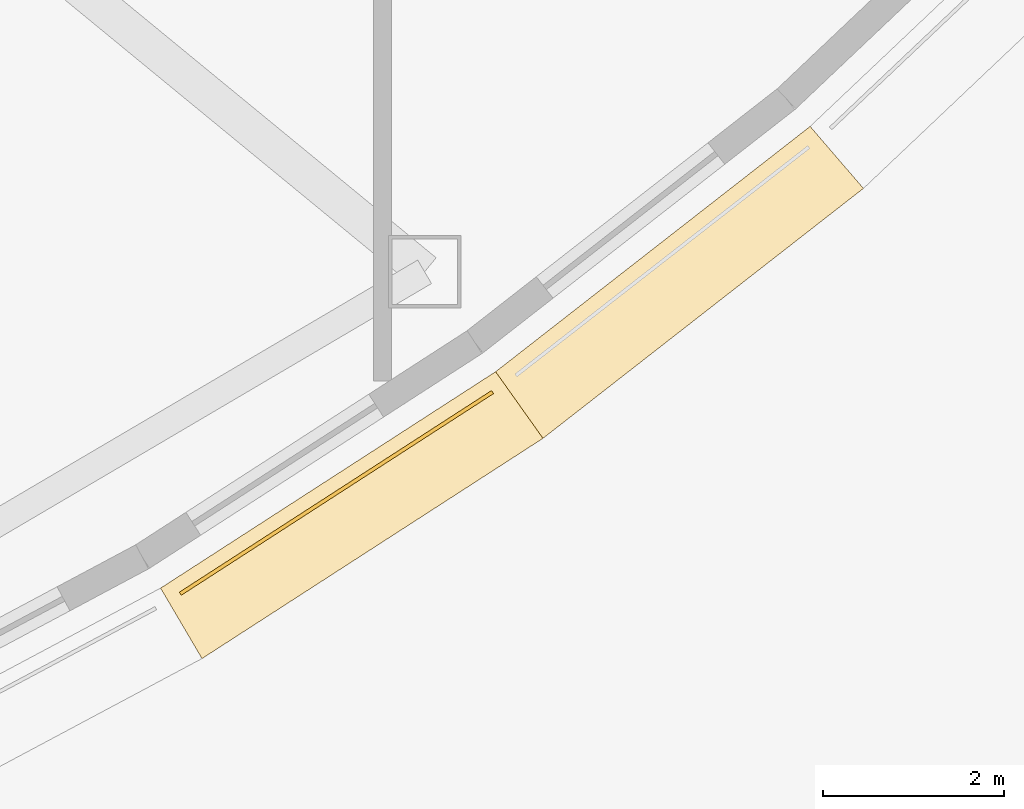
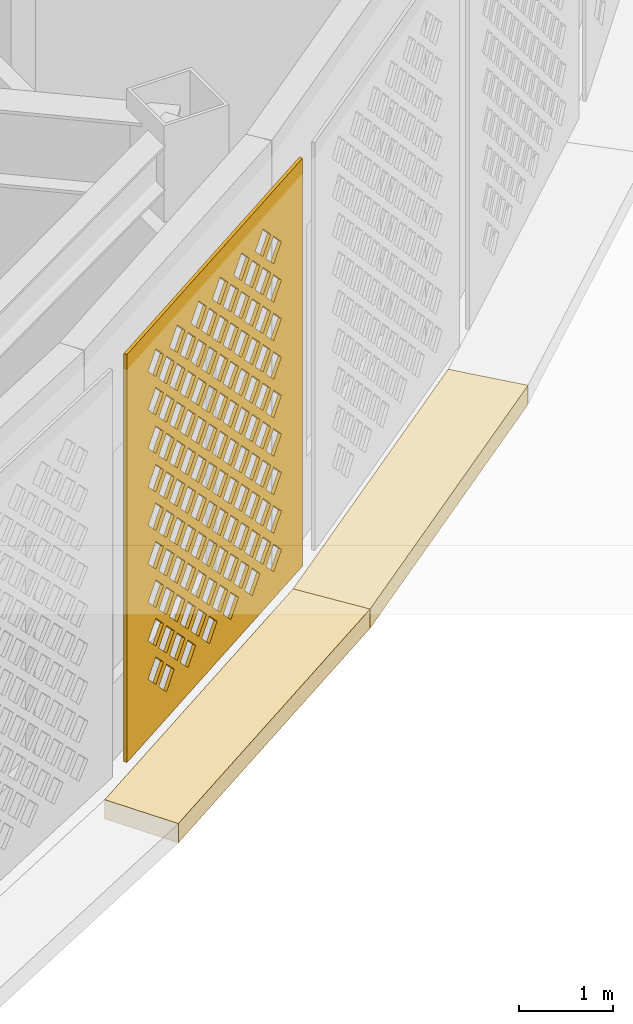
# One storey, part 67 of 74: 3 coverings.
"""IFC4 building model written with IfcOpenShell, lengths in metres."""

import ifcopenshell
import ifcopenshell.guid

model = None  # the IFC model being written
_history = None  # IfcOwnerHistory: only IFC2X3 demands one
_inside = {}  # id of a spatial element -> (the spatial element, [elements in it])
_under = {}  # id of a project, library or spatial element -> (it, [spatial elements below it])
_declared = {}  # id of a project -> (the project, [libraries it declares])
_typed = {}  # id of a type object -> (the type object, [elements of that type])
_made_of = {}  # id of a material, layer set ... -> (it, [elements and type objects made of it])


def new_model(schema):
    """Start an empty IFC model of exactly this schema.

    Asked for "IFC4X3", IfcOpenShell would pick the latest addendum, in which some entities
    have other attributes; the version numbers below select the first issue.
    IFC2X3 requires an IfcOwnerHistory on every rooted entity: one is made here for all.
    """
    global model, _history
    if schema == "IFC4X3":
        model = ifcopenshell.file(schema_version=(4, 3, 0, 0))
    else:
        model = ifcopenshell.file(schema=schema)
    _inside.clear()
    _under.clear()
    _declared.clear()
    _typed.clear()
    _made_of.clear()
    _history = None
    if model.schema == "IFC2X3":
        org = make("IfcOrganization", Name="unknown")
        user = make(
            "IfcPersonAndOrganization",
            ThePerson=make("IfcPerson", FamilyName="unknown"),
            TheOrganization=org,
        )
        app = make(
            "IfcApplication",
            ApplicationDeveloper=org,
            Version="unknown",
            ApplicationFullName="unknown",
            ApplicationIdentifier="unknown",
        )
        _history = make(
            "IfcOwnerHistory",
            OwningUser=user,
            OwningApplication=app,
            ChangeAction="ADDED",
            CreationDate=0,
        )
    return model


def make(cls, **values):
    """One entity of the class cls with the attributes given. An attribute that is None is left unset."""
    return model.create_entity(
        cls, **{name: value for name, value in values.items() if value is not None}
    )


def rooted(cls, **values):
    """An entity with a GlobalId (a new one), such as an element, a storey or a relation."""
    return make(cls, GlobalId=ifcopenshell.guid.new(), OwnerHistory=_history, **values)


def si_unit(unit_type, name, prefix=None):
    """IfcSIUnit, for example si_unit("LENGTHUNIT", "METRE", prefix="MILLI")."""
    return make("IfcSIUnit", UnitType=unit_type, Prefix=prefix, Name=name)


def assignment(units):
    """IfcUnitAssignment: the units of a project."""
    return None if units is None else make("IfcUnitAssignment", Units=units)


def point(xyz):
    """IfcCartesianPoint."""
    return None if xyz is None else make("IfcCartesianPoint", Coordinates=xyz)


def direction(xyz):
    """IfcDirection."""
    return None if xyz is None else make("IfcDirection", DirectionRatios=xyz)


def frame(location, z_axis=None, x_axis=None):
    """IfcAxis2Placement3D, a coordinate frame: its origin and axes. An axis left out is left unset."""
    return make(
        "IfcAxis2Placement3D",
        Location=point(location),
        Axis=direction(z_axis),
        RefDirection=direction(x_axis),
    )


def origin():
    """The frame at (0, 0, 0) with its axes left unset."""
    return frame((0.0, 0.0, 0.0))


def place(relative_to, where):
    """IfcLocalPlacement: puts the frame where relative to a parent placement (None: the world)."""
    return make(
        "IfcLocalPlacement", PlacementRelTo=relative_to, RelativePlacement=where
    )


def context(
    kind, dimensions, precision=None, world=None, true_north=None, identifier=None
):
    """IfcGeometricRepresentationContext, for example the 3D "Model" context."""
    return make(
        "IfcGeometricRepresentationContext",
        ContextIdentifier=identifier,
        ContextType=kind,
        CoordinateSpaceDimension=dimensions,
        Precision=precision,
        WorldCoordinateSystem=world,
        TrueNorth=true_north,
    )


def subcontext(parent, identifier, kind, view, scale=None):
    """IfcGeometricRepresentationSubContext, for example "Body" below "Model"."""
    return make(
        "IfcGeometricRepresentationSubContext",
        ContextIdentifier=identifier,
        ContextType=kind,
        ParentContext=parent,
        TargetScale=scale,
        TargetView=view,
    )


def project(units=None, contexts=None):
    """IfcProject with its units and contexts."""
    return rooted(
        "IfcProject",
        Name="project",
        RepresentationContexts=contexts,
        UnitsInContext=assignment(units),
    )


def spatial(cls, under=None, at=None, **own):
    """A site, building, storey or space (cls), placed at a placement, below another one or the project."""
    s = rooted(cls, ObjectPlacement=at, **own)
    if under is not None:
        _under.setdefault(under.id(), (under, []))[1].append(s)
    return s


def polyline(points):
    """IfcPolyline through the points."""
    return make("IfcPolyline", Points=[point(p) for p in points])


def outline(outer, holes=None, kind="AREA"):
    """IfcArbitraryClosedProfileDef: a profile drawn as a closed curve; with holes, ...WithVoids."""
    if holes is None:
        return make("IfcArbitraryClosedProfileDef", ProfileType=kind, OuterCurve=outer)
    return make(
        "IfcArbitraryProfileDefWithVoids",
        ProfileType=kind,
        OuterCurve=outer,
        InnerCurves=holes,
    )


def extrude(swept, where, along, depth):
    """IfcExtrudedAreaSolid: the profile swept, set in the frame where, extruded along a direction by depth."""
    return make(
        "IfcExtrudedAreaSolid",
        SweptArea=swept,
        Position=where,
        ExtrudedDirection=direction(along),
        Depth=depth,
    )


def shape(context_of_items, identifier, shape_type, items):
    """IfcShapeRepresentation: the items that make up one representation, for example the "Body"."""
    return make(
        "IfcShapeRepresentation",
        ContextOfItems=context_of_items,
        RepresentationIdentifier=identifier,
        RepresentationType=shape_type,
        Items=items,
    )


def material(Name=None, Category=None):
    """IfcMaterial."""
    return make("IfcMaterial", Name=Name, Category=Category)


def layer(
    of_material, thickness, ventilated=None, Name=None, Category=None, Priority=None
):
    """IfcMaterialLayer: one layer of a wall or slab, of a material (None: an air gap)."""
    return make(
        "IfcMaterialLayer",
        Material=of_material,
        LayerThickness=thickness,
        IsVentilated=ventilated,
        Name=Name,
        Category=Category,
        Priority=Priority,
    )


def layer_set(layers, Name=None):
    """IfcMaterialLayerSet."""
    return make("IfcMaterialLayerSet", MaterialLayers=layers, LayerSetName=Name)


def made_of(thing, what):
    """Note that an element or type object is made of a material, layer set ...; save() writes the relation."""
    if what is not None:
        _made_of.setdefault(what.id(), (what, []))[1].append(thing)
    return thing


def type_object(cls, material=None, **own):
    """A type object (cls), such as IfcWallType, which elements share."""
    return made_of(rooted(cls, **own), material)


def element(
    cls,
    number,
    at=None,
    inside=None,
    cuts=None,
    type_object=None,
    material=None,
    context=None,
    identifier="Body",
    shape_type=None,
    held_by="IfcProductDefinitionShape",
    body=None,
    shapes=None,
    **own,
):
    """One element of the class cls, such as IfcWall. Its Tag is "e" and its number.

    at: its placement. inside: the storey or other place that contains it. cuts: it is an
    opening in that element (IfcRelVoidsElement). A single representation is given by context,
    identifier, shape_type and body (its items); several are given by shapes. held_by: the class
    of the entity that holds the representations. save() writes the other relations.
    """
    e = rooted(cls, Tag="e%d" % number, ObjectPlacement=at, **own)
    if body is not None:
        shapes = [shape(context, identifier, shape_type, body)]
    if shapes is not None:
        e.Representation = make(held_by, Representations=shapes)
    if inside is not None:
        _inside.setdefault(inside.id(), (inside, []))[1].append(e)
    if cuts is not None:
        rooted(
            "IfcRelVoidsElement", RelatingBuildingElement=cuts, RelatedOpeningElement=e
        )
    if type_object is not None:
        _typed.setdefault(type_object.id(), (type_object, []))[1].append(e)
    return made_of(e, material)


def aggregate(whole, parts):
    """IfcRelAggregates: a whole, such as a stair, and the parts it consists of."""
    return rooted("IfcRelAggregates", RelatingObject=whole, RelatedObjects=parts)


def save(model, path):
    """Write the relations noted so far, then the file.

    IfcRelAggregates (storeys below a building ...), IfcRelContainedInSpatialStructure (elements
    in a storey), IfcRelDefinesByType, IfcRelAssociatesMaterial and IfcRelDeclares: one each for
    every whole, place, type object, material and project.
    """
    for whole, parts in _under.values():
        aggregate(whole, parts)
    for where, things in _inside.values():
        rooted(
            "IfcRelContainedInSpatialStructure",
            RelatedElements=things,
            RelatingStructure=where,
        )
    for kind, things in _typed.values():
        rooted("IfcRelDefinesByType", RelatedObjects=things, RelatingType=kind)
    for what, things in _made_of.values():
        rooted("IfcRelAssociatesMaterial", RelatedObjects=things, RelatingMaterial=what)
    for by, libraries in _declared.values():
        rooted("IfcRelDeclares", RelatingContext=by, RelatedDefinitions=libraries)
    model.write(path)


model = new_model("IFC4")

# Units and contexts
model_context = context("Model", 3, precision=1e-05, world=origin(), true_north=direction((0.0, 1.0)))
body_context = subcontext(model_context, "Body", "Model", "MODEL_VIEW")
ifc_project = project(units=[si_unit("LENGTHUNIT", "METRE"), si_unit("AREAUNIT", "SQUARE_METRE"), si_unit("VOLUMEUNIT", "CUBIC_METRE"), si_unit("PLANEANGLEUNIT", "RADIAN"), si_unit("MASSUNIT", "GRAM", prefix="KILO")], contexts=[model_context])

# Site, building, storey
site_placement = place(None, origin())
site = spatial("IfcSite", under=ifc_project, at=site_placement, CompositionType="ELEMENT")
building_placement = place(site_placement, origin())
building = spatial("IfcBuilding", under=site, at=building_placement, Name="Noorbagh Ring Tower", CompositionType="ELEMENT")
storey_placement = place(building_placement, frame((0.0, 0.0, 7.5)))
storey = spatial("IfcBuildingStorey", under=building, at=storey_placement, Name="L01", CompositionType="ELEMENT", Elevation=7.5)

# Coverings
ifc_material_1 = material(Name="Red sandstone eave", Category="masonry")
covering_type_1 = type_object("IfcCoveringType", Name="STY-CHHAJJA", PredefinedType="USERDEFINED", material=ifc_material_1)
covering_1_placement = place(storey_placement, frame((0.0, 0.0, -0.25)))
element("IfcCovering", 1, at=covering_1_placement, inside=storey, type_object=covering_type_1, Name="Chhajja eave", ObjectType="CHHAJJA", PredefinedType="USERDEFINED", context=body_context, shape_type="SweptSolid", body=[
    extrude(outline(polyline([(31.5546875, -31.793701171875), (35.247802734375, -29.408203125), (35.769775390625, -30.142578125), (32.011474609375, -32.56982421875), (31.5546875, -31.793701171875)])), origin(), (0.0, 0.0, 1.0), 0.25),
])
covering_2_placement = place(storey_placement, frame((0.0, 0.0, -0.25)))
element("IfcCovering", 2, at=covering_2_placement, inside=storey, type_object=covering_type_1, Name="Chhajja eave", ObjectType="CHHAJJA", PredefinedType="USERDEFINED", context=body_context, shape_type="SweptSolid", body=[
    extrude(outline(polyline([(35.247802734375, -29.408203125), (38.71435546875, -26.70458984375), (39.3017578125, -27.3876953125), (35.769775390625, -30.142578125), (35.247802734375, -29.408203125)])), origin(), (0.0, 0.0, 1.0), 0.25),
])
ifc_material_2 = material(Name="Red sandstone jali", Category="masonry")
ifc_layer = layer(ifc_material_2, 0.0400390625)
ifc_layer_set = layer_set([ifc_layer], Name="Red sandstone jali")
covering_type_2 = type_object("IfcCoveringType", Name="STY-JALI", PredefinedType="USERDEFINED", material=ifc_layer_set)
covering_3_placement = place(storey_placement, frame((31.78369140625, -31.871826171875, 0.449951171875), z_axis=(0.542524555296, -0.840039943634, 0.0), x_axis=(0.840039943634, 0.542524555296, 0.0)))
element("IfcCovering", 3, at=covering_3_placement, inside=storey, type_object=covering_type_2, Name="Jali screen", ObjectType="SCREEN", PredefinedType="USERDEFINED", context=body_context, shape_type="SweptSolid", body=[
    extrude(outline(polyline([(0.0, 0.0), (4.096435546875, 0.0), (4.096435546875, 5.300048828125), (0.0, 5.300048828125), (0.0, 0.0)]), holes=[polyline([(0.7431640625, 0.52490234375), (0.923095703125, 0.344970703125), (1.103271484375, 0.52490234375), (0.923095703125, 0.705078125), (0.7431640625, 0.52490234375)]), polyline([(1.2431640625, 0.52490234375), (1.423095703125, 0.344970703125), (1.603271484375, 0.52490234375), (1.423095703125, 0.705078125), (1.2431640625, 0.52490234375)]), polyline([(1.7431640625, 0.52490234375), (1.923095703125, 0.344970703125), (2.103271484375, 0.52490234375), (1.923095703125, 0.705078125), (1.7431640625, 0.52490234375)]), polyline([(2.2431640625, 0.52490234375), (2.423095703125, 0.344970703125), (2.603271484375, 0.52490234375), (2.423095703125, 0.705078125), (2.2431640625, 0.52490234375)]), polyline([(2.7431640625, 0.52490234375), (2.923095703125, 0.344970703125), (3.103271484375, 0.52490234375), (2.923095703125, 0.705078125), (2.7431640625, 0.52490234375)]), polyline([(3.2431640625, 0.52490234375), (3.423095703125, 0.344970703125), (3.603271484375, 0.52490234375), (3.423095703125, 0.705078125), (3.2431640625, 0.52490234375)]), polyline([(0.4931640625, 0.77490234375), (0.673095703125, 0.594970703125), (0.853271484375, 0.77490234375), (0.673095703125, 0.955078125), (0.4931640625, 0.77490234375)]), polyline([(0.9931640625, 0.77490234375), (1.173095703125, 0.594970703125), (1.353271484375, 0.77490234375), (1.173095703125, 0.955078125), (0.9931640625, 0.77490234375)]), polyline([(1.4931640625, 0.77490234375), (1.673095703125, 0.594970703125), (1.853271484375, 0.77490234375), (1.673095703125, 0.955078125), (1.4931640625, 0.77490234375)]), polyline([(1.9931640625, 0.77490234375), (2.173095703125, 0.594970703125), (2.353271484375, 0.77490234375), (2.173095703125, 0.955078125), (1.9931640625, 0.77490234375)]), polyline([(2.4931640625, 0.77490234375), (2.673095703125, 0.594970703125), (2.853271484375, 0.77490234375), (2.673095703125, 0.955078125), (2.4931640625, 0.77490234375)]), polyline([(2.9931640625, 0.77490234375), (3.173095703125, 0.594970703125), (3.353271484375, 0.77490234375), (3.173095703125, 0.955078125), (2.9931640625, 0.77490234375)]), polyline([(0.7431640625, 1.02490234375), (0.923095703125, 0.844970703125), (1.103271484375, 1.02490234375), (0.923095703125, 1.205078125), (0.7431640625, 1.02490234375)]), polyline([(1.2431640625, 1.02490234375), (1.423095703125, 0.844970703125), (1.603271484375, 1.02490234375), (1.423095703125, 1.205078125), (1.2431640625, 1.02490234375)]), polyline([(1.7431640625, 1.02490234375), (1.923095703125, 0.844970703125), (2.103271484375, 1.02490234375), (1.923095703125, 1.205078125), (1.7431640625, 1.02490234375)]), polyline([(2.2431640625, 1.02490234375), (2.423095703125, 0.844970703125), (2.603271484375, 1.02490234375), (2.423095703125, 1.205078125), (2.2431640625, 1.02490234375)]), polyline([(2.7431640625, 1.02490234375), (2.923095703125, 0.844970703125), (3.103271484375, 1.02490234375), (2.923095703125, 1.205078125), (2.7431640625, 1.02490234375)]), polyline([(3.2431640625, 1.02490234375), (3.423095703125, 0.844970703125), (3.603271484375, 1.02490234375), (3.423095703125, 1.205078125), (3.2431640625, 1.02490234375)]), polyline([(0.4931640625, 1.27490234375), (0.673095703125, 1.094970703125), (0.853271484375, 1.27490234375), (0.673095703125, 1.455078125), (0.4931640625, 1.27490234375)]), polyline([(0.9931640625, 1.27490234375), (1.173095703125, 1.094970703125), (1.353271484375, 1.27490234375), (1.173095703125, 1.455078125), (0.9931640625, 1.27490234375)]), polyline([(1.4931640625, 1.27490234375), (1.673095703125, 1.094970703125), (1.853271484375, 1.27490234375), (1.673095703125, 1.455078125), (1.4931640625, 1.27490234375)]), polyline([(1.9931640625, 1.27490234375), (2.173095703125, 1.094970703125), (2.353271484375, 1.27490234375), (2.173095703125, 1.455078125), (1.9931640625, 1.27490234375)]), polyline([(2.4931640625, 1.27490234375), (2.673095703125, 1.094970703125), (2.853271484375, 1.27490234375), (2.673095703125, 1.455078125), (2.4931640625, 1.27490234375)]), polyline([(2.9931640625, 1.27490234375), (3.173095703125, 1.094970703125), (3.353271484375, 1.27490234375), (3.173095703125, 1.455078125), (2.9931640625, 1.27490234375)]), polyline([(0.7431640625, 1.52490234375), (0.923095703125, 1.344970703125), (1.103271484375, 1.52490234375), (0.923095703125, 1.705078125), (0.7431640625, 1.52490234375)]), polyline([(1.2431640625, 1.52490234375), (1.423095703125, 1.344970703125), (1.603271484375, 1.52490234375), (1.423095703125, 1.705078125), (1.2431640625, 1.52490234375)]), polyline([(1.7431640625, 1.52490234375), (1.923095703125, 1.344970703125), (2.103271484375, 1.52490234375), (1.923095703125, 1.705078125), (1.7431640625, 1.52490234375)]), polyline([(2.2431640625, 1.52490234375), (2.423095703125, 1.344970703125), (2.603271484375, 1.52490234375), (2.423095703125, 1.705078125), (2.2431640625, 1.52490234375)]), polyline([(2.7431640625, 1.52490234375), (2.923095703125, 1.344970703125), (3.103271484375, 1.52490234375), (2.923095703125, 1.705078125), (2.7431640625, 1.52490234375)]), polyline([(3.2431640625, 1.52490234375), (3.423095703125, 1.344970703125), (3.603271484375, 1.52490234375), (3.423095703125, 1.705078125), (3.2431640625, 1.52490234375)]), polyline([(0.4931640625, 1.77490234375), (0.673095703125, 1.594970703125), (0.853271484375, 1.77490234375), (0.673095703125, 1.955078125), (0.4931640625, 1.77490234375)]), polyline([(0.9931640625, 1.77490234375), (1.173095703125, 1.594970703125), (1.353271484375, 1.77490234375), (1.173095703125, 1.955078125), (0.9931640625, 1.77490234375)]), polyline([(1.4931640625, 1.77490234375), (1.673095703125, 1.594970703125), (1.853271484375, 1.77490234375), (1.673095703125, 1.955078125), (1.4931640625, 1.77490234375)]), polyline([(1.9931640625, 1.77490234375), (2.173095703125, 1.594970703125), (2.353271484375, 1.77490234375), (2.173095703125, 1.955078125), (1.9931640625, 1.77490234375)]), polyline([(2.4931640625, 1.77490234375), (2.673095703125, 1.594970703125), (2.853271484375, 1.77490234375), (2.673095703125, 1.955078125), (2.4931640625, 1.77490234375)]), polyline([(2.9931640625, 1.77490234375), (3.173095703125, 1.594970703125), (3.353271484375, 1.77490234375), (3.173095703125, 1.955078125), (2.9931640625, 1.77490234375)]), polyline([(0.7431640625, 2.02490234375), (0.923095703125, 1.844970703125), (1.103271484375, 2.02490234375), (0.923095703125, 2.205078125), (0.7431640625, 2.02490234375)]), polyline([(1.2431640625, 2.02490234375), (1.423095703125, 1.844970703125), (1.603271484375, 2.02490234375), (1.423095703125, 2.205078125), (1.2431640625, 2.02490234375)]), polyline([(1.7431640625, 2.02490234375), (1.923095703125, 1.844970703125), (2.103271484375, 2.02490234375), (1.923095703125, 2.205078125), (1.7431640625, 2.02490234375)]), polyline([(2.2431640625, 2.02490234375), (2.423095703125, 1.844970703125), (2.603271484375, 2.02490234375), (2.423095703125, 2.205078125), (2.2431640625, 2.02490234375)]), polyline([(2.7431640625, 2.02490234375), (2.923095703125, 1.844970703125), (3.103271484375, 2.02490234375), (2.923095703125, 2.205078125), (2.7431640625, 2.02490234375)]), polyline([(3.2431640625, 2.02490234375), (3.423095703125, 1.844970703125), (3.603271484375, 2.02490234375), (3.423095703125, 2.205078125), (3.2431640625, 2.02490234375)]), polyline([(0.4931640625, 2.27490234375), (0.673095703125, 2.094970703125), (0.853271484375, 2.27490234375), (0.673095703125, 2.455078125), (0.4931640625, 2.27490234375)]), polyline([(0.9931640625, 2.27490234375), (1.173095703125, 2.094970703125), (1.353271484375, 2.27490234375), (1.173095703125, 2.455078125), (0.9931640625, 2.27490234375)]), polyline([(1.4931640625, 2.27490234375), (1.673095703125, 2.094970703125), (1.853271484375, 2.27490234375), (1.673095703125, 2.455078125), (1.4931640625, 2.27490234375)]), polyline([(1.9931640625, 2.27490234375), (2.173095703125, 2.094970703125), (2.353271484375, 2.27490234375), (2.173095703125, 2.455078125), (1.9931640625, 2.27490234375)]), polyline([(2.4931640625, 2.27490234375), (2.673095703125, 2.094970703125), (2.853271484375, 2.27490234375), (2.673095703125, 2.455078125), (2.4931640625, 2.27490234375)]), polyline([(2.9931640625, 2.27490234375), (3.173095703125, 2.094970703125), (3.353271484375, 2.27490234375), (3.173095703125, 2.455078125), (2.9931640625, 2.27490234375)]), polyline([(0.7431640625, 2.52490234375), (0.923095703125, 2.344970703125), (1.103271484375, 2.52490234375), (0.923095703125, 2.705078125), (0.7431640625, 2.52490234375)]), polyline([(1.2431640625, 2.52490234375), (1.423095703125, 2.344970703125), (1.603271484375, 2.52490234375), (1.423095703125, 2.705078125), (1.2431640625, 2.52490234375)]), polyline([(1.7431640625, 2.52490234375), (1.923095703125, 2.344970703125), (2.103271484375, 2.52490234375), (1.923095703125, 2.705078125), (1.7431640625, 2.52490234375)]), polyline([(2.2431640625, 2.52490234375), (2.423095703125, 2.344970703125), (2.603271484375, 2.52490234375), (2.423095703125, 2.705078125), (2.2431640625, 2.52490234375)]), polyline([(2.7431640625, 2.52490234375), (2.923095703125, 2.344970703125), (3.103271484375, 2.52490234375), (2.923095703125, 2.705078125), (2.7431640625, 2.52490234375)]), polyline([(3.2431640625, 2.52490234375), (3.423095703125, 2.344970703125), (3.603271484375, 2.52490234375), (3.423095703125, 2.705078125), (3.2431640625, 2.52490234375)]), polyline([(0.4931640625, 2.77490234375), (0.673095703125, 2.594970703125), (0.853271484375, 2.77490234375), (0.673095703125, 2.955078125), (0.4931640625, 2.77490234375)]), polyline([(0.9931640625, 2.77490234375), (1.173095703125, 2.594970703125), (1.353271484375, 2.77490234375), (1.173095703125, 2.955078125), (0.9931640625, 2.77490234375)]), polyline([(1.4931640625, 2.77490234375), (1.673095703125, 2.594970703125), (1.853271484375, 2.77490234375), (1.673095703125, 2.955078125), (1.4931640625, 2.77490234375)]), polyline([(1.9931640625, 2.77490234375), (2.173095703125, 2.594970703125), (2.353271484375, 2.77490234375), (2.173095703125, 2.955078125), (1.9931640625, 2.77490234375)]), polyline([(2.4931640625, 2.77490234375), (2.673095703125, 2.594970703125), (2.853271484375, 2.77490234375), (2.673095703125, 2.955078125), (2.4931640625, 2.77490234375)]), polyline([(2.9931640625, 2.77490234375), (3.173095703125, 2.594970703125), (3.353271484375, 2.77490234375), (3.173095703125, 2.955078125), (2.9931640625, 2.77490234375)]), polyline([(0.7431640625, 3.02490234375), (0.923095703125, 2.844970703125), (1.103271484375, 3.02490234375), (0.923095703125, 3.205078125), (0.7431640625, 3.02490234375)]), polyline([(1.2431640625, 3.02490234375), (1.423095703125, 2.844970703125), (1.603271484375, 3.02490234375), (1.423095703125, 3.205078125), (1.2431640625, 3.02490234375)]), polyline([(1.7431640625, 3.02490234375), (1.923095703125, 2.844970703125), (2.103271484375, 3.02490234375), (1.923095703125, 3.205078125), (1.7431640625, 3.02490234375)]), polyline([(2.2431640625, 3.02490234375), (2.423095703125, 2.844970703125), (2.603271484375, 3.02490234375), (2.423095703125, 3.205078125), (2.2431640625, 3.02490234375)]), polyline([(2.7431640625, 3.02490234375), (2.923095703125, 2.844970703125), (3.103271484375, 3.02490234375), (2.923095703125, 3.205078125), (2.7431640625, 3.02490234375)]), polyline([(3.2431640625, 3.02490234375), (3.423095703125, 2.844970703125), (3.603271484375, 3.02490234375), (3.423095703125, 3.205078125), (3.2431640625, 3.02490234375)]), polyline([(0.4931640625, 3.27490234375), (0.673095703125, 3.094970703125), (0.853271484375, 3.27490234375), (0.673095703125, 3.455078125), (0.4931640625, 3.27490234375)]), polyline([(0.9931640625, 3.27490234375), (1.173095703125, 3.094970703125), (1.353271484375, 3.27490234375), (1.173095703125, 3.455078125), (0.9931640625, 3.27490234375)]), polyline([(1.4931640625, 3.27490234375), (1.673095703125, 3.094970703125), (1.853271484375, 3.27490234375), (1.673095703125, 3.455078125), (1.4931640625, 3.27490234375)]), polyline([(1.9931640625, 3.27490234375), (2.173095703125, 3.094970703125), (2.353271484375, 3.27490234375), (2.173095703125, 3.455078125), (1.9931640625, 3.27490234375)]), polyline([(2.4931640625, 3.27490234375), (2.673095703125, 3.094970703125), (2.853271484375, 3.27490234375), (2.673095703125, 3.455078125), (2.4931640625, 3.27490234375)]), polyline([(2.9931640625, 3.27490234375), (3.173095703125, 3.094970703125), (3.353271484375, 3.27490234375), (3.173095703125, 3.455078125), (2.9931640625, 3.27490234375)]), polyline([(0.7431640625, 3.52490234375), (0.923095703125, 3.344970703125), (1.103271484375, 3.52490234375), (0.923095703125, 3.705078125), (0.7431640625, 3.52490234375)]), polyline([(1.2431640625, 3.52490234375), (1.423095703125, 3.344970703125), (1.603271484375, 3.52490234375), (1.423095703125, 3.705078125), (1.2431640625, 3.52490234375)]), polyline([(1.7431640625, 3.52490234375), (1.923095703125, 3.344970703125), (2.103271484375, 3.52490234375), (1.923095703125, 3.705078125), (1.7431640625, 3.52490234375)]), polyline([(2.2431640625, 3.52490234375), (2.423095703125, 3.344970703125), (2.603271484375, 3.52490234375), (2.423095703125, 3.705078125), (2.2431640625, 3.52490234375)]), polyline([(2.7431640625, 3.52490234375), (2.923095703125, 3.344970703125), (3.103271484375, 3.52490234375), (2.923095703125, 3.705078125), (2.7431640625, 3.52490234375)]), polyline([(3.2431640625, 3.52490234375), (3.423095703125, 3.344970703125), (3.603271484375, 3.52490234375), (3.423095703125, 3.705078125), (3.2431640625, 3.52490234375)]), polyline([(0.4931640625, 3.77490234375), (0.673095703125, 3.594970703125), (0.853271484375, 3.77490234375), (0.673095703125, 3.955078125), (0.4931640625, 3.77490234375)]), polyline([(0.9931640625, 3.77490234375), (1.173095703125, 3.594970703125), (1.353271484375, 3.77490234375), (1.173095703125, 3.955078125), (0.9931640625, 3.77490234375)]), polyline([(1.4931640625, 3.77490234375), (1.673095703125, 3.594970703125), (1.853271484375, 3.77490234375), (1.673095703125, 3.955078125), (1.4931640625, 3.77490234375)]), polyline([(1.9931640625, 3.77490234375), (2.173095703125, 3.594970703125), (2.353271484375, 3.77490234375), (2.173095703125, 3.955078125), (1.9931640625, 3.77490234375)]), polyline([(2.4931640625, 3.77490234375), (2.673095703125, 3.594970703125), (2.853271484375, 3.77490234375), (2.673095703125, 3.955078125), (2.4931640625, 3.77490234375)]), polyline([(2.9931640625, 3.77490234375), (3.173095703125, 3.594970703125), (3.353271484375, 3.77490234375), (3.173095703125, 3.955078125), (2.9931640625, 3.77490234375)]), polyline([(0.7431640625, 4.02490234375), (0.923095703125, 3.844970703125), (1.103271484375, 4.02490234375), (0.923095703125, 4.205078125), (0.7431640625, 4.02490234375)]), polyline([(1.2431640625, 4.02490234375), (1.423095703125, 3.844970703125), (1.603271484375, 4.02490234375), (1.423095703125, 4.205078125), (1.2431640625, 4.02490234375)]), polyline([(1.7431640625, 4.02490234375), (1.923095703125, 3.844970703125), (2.103271484375, 4.02490234375), (1.923095703125, 4.205078125), (1.7431640625, 4.02490234375)]), polyline([(2.2431640625, 4.02490234375), (2.423095703125, 3.844970703125), (2.603271484375, 4.02490234375), (2.423095703125, 4.205078125), (2.2431640625, 4.02490234375)]), polyline([(2.7431640625, 4.02490234375), (2.923095703125, 3.844970703125), (3.103271484375, 4.02490234375), (2.923095703125, 4.205078125), (2.7431640625, 4.02490234375)]), polyline([(3.2431640625, 4.02490234375), (3.423095703125, 3.844970703125), (3.603271484375, 4.02490234375), (3.423095703125, 4.205078125), (3.2431640625, 4.02490234375)]), polyline([(0.4931640625, 4.27490234375), (0.673095703125, 4.094970703125), (0.853271484375, 4.27490234375), (0.673095703125, 4.455078125), (0.4931640625, 4.27490234375)]), polyline([(0.9931640625, 4.27490234375), (1.173095703125, 4.094970703125), (1.353271484375, 4.27490234375), (1.173095703125, 4.455078125), (0.9931640625, 4.27490234375)]), polyline([(1.4931640625, 4.27490234375), (1.673095703125, 4.094970703125), (1.853271484375, 4.27490234375), (1.673095703125, 4.455078125), (1.4931640625, 4.27490234375)]), polyline([(1.9931640625, 4.27490234375), (2.173095703125, 4.094970703125), (2.353271484375, 4.27490234375), (2.173095703125, 4.455078125), (1.9931640625, 4.27490234375)]), polyline([(2.4931640625, 4.27490234375), (2.673095703125, 4.094970703125), (2.853271484375, 4.27490234375), (2.673095703125, 4.455078125), (2.4931640625, 4.27490234375)]), polyline([(2.9931640625, 4.27490234375), (3.173095703125, 4.094970703125), (3.353271484375, 4.27490234375), (3.173095703125, 4.455078125), (2.9931640625, 4.27490234375)]), polyline([(0.7431640625, 4.52490234375), (0.923095703125, 4.344970703125), (1.103271484375, 4.52490234375), (0.923095703125, 4.705078125), (0.7431640625, 4.52490234375)]), polyline([(1.2431640625, 4.52490234375), (1.423095703125, 4.344970703125), (1.603271484375, 4.52490234375), (1.423095703125, 4.705078125), (1.2431640625, 4.52490234375)]), polyline([(1.7431640625, 4.52490234375), (1.923095703125, 4.344970703125), (2.103271484375, 4.52490234375), (1.923095703125, 4.705078125), (1.7431640625, 4.52490234375)]), polyline([(2.2431640625, 4.52490234375), (2.423095703125, 4.344970703125), (2.603271484375, 4.52490234375), (2.423095703125, 4.705078125), (2.2431640625, 4.52490234375)]), polyline([(2.7431640625, 4.52490234375), (2.923095703125, 4.344970703125), (3.103271484375, 4.52490234375), (2.923095703125, 4.705078125), (2.7431640625, 4.52490234375)]), polyline([(3.2431640625, 4.52490234375), (3.423095703125, 4.344970703125), (3.603271484375, 4.52490234375), (3.423095703125, 4.705078125), (3.2431640625, 4.52490234375)]), polyline([(0.4931640625, 4.77490234375), (0.673095703125, 4.594970703125), (0.853271484375, 4.77490234375), (0.673095703125, 4.955078125), (0.4931640625, 4.77490234375)]), polyline([(0.9931640625, 4.77490234375), (1.173095703125, 4.594970703125), (1.353271484375, 4.77490234375), (1.173095703125, 4.955078125), (0.9931640625, 4.77490234375)]), polyline([(1.4931640625, 4.77490234375), (1.673095703125, 4.594970703125), (1.853271484375, 4.77490234375), (1.673095703125, 4.955078125), (1.4931640625, 4.77490234375)]), polyline([(1.9931640625, 4.77490234375), (2.173095703125, 4.594970703125), (2.353271484375, 4.77490234375), (2.173095703125, 4.955078125), (1.9931640625, 4.77490234375)]), polyline([(2.4931640625, 4.77490234375), (2.673095703125, 4.594970703125), (2.853271484375, 4.77490234375), (2.673095703125, 4.955078125), (2.4931640625, 4.77490234375)]), polyline([(2.9931640625, 4.77490234375), (3.173095703125, 4.594970703125), (3.353271484375, 4.77490234375), (3.173095703125, 4.955078125), (2.9931640625, 4.77490234375)])]), origin(), (0.0, 0.0, -1.0), 0.0400390625),
])

save(model, "model.ifc")
